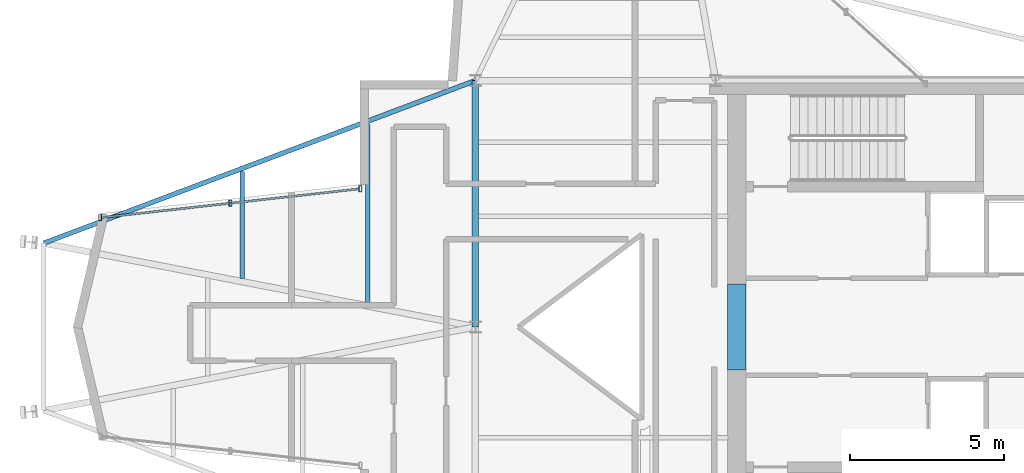
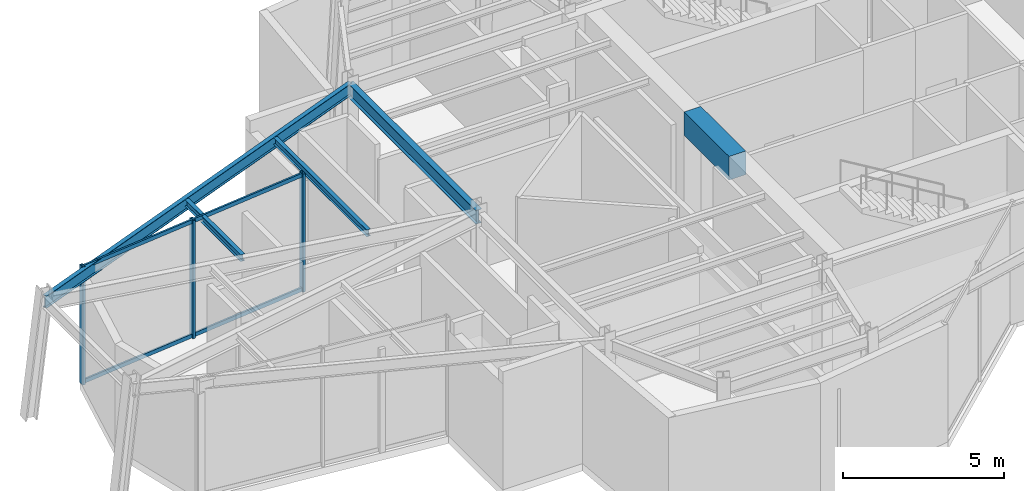
# One storey, part 4 of 11: 5 beams, 5 members, 1 element without a shape of its own.
"""IFC4 building model written with IfcOpenShell, lengths in metres."""

from ifc_helpers import new_model, si_unit, direction, frame, origin, origin_2d, place, context, subcontext, project, spatial, rectangle, hollow_rectangle, i_section, extrude, material, layer, layer_set, material_profile, profile_set, type_object, element, aggregate, save


model = new_model("IFC4")

# Units and contexts
model_context = context("Model", 3, precision=1e-05, world=origin(), true_north=direction((0.0, 1.0)))
body_context = subcontext(model_context, "Body", "Model", "MODEL_VIEW")
ifc_project = project(units=[si_unit("LENGTHUNIT", "METRE"), si_unit("AREAUNIT", "SQUARE_METRE"), si_unit("VOLUMEUNIT", "CUBIC_METRE"), si_unit("PLANEANGLEUNIT", "RADIAN"), si_unit("MASSUNIT", "GRAM", prefix="KILO")], contexts=[model_context])

# Site, building, storey
site_placement = place(None, origin())
site = spatial("IfcSite", under=ifc_project, at=site_placement, CompositionType="ELEMENT")
building_placement = place(site_placement, origin())
building = spatial("IfcBuilding", under=site, at=building_placement, Name="Veymaron Broadcast Tower", CompositionType="ELEMENT")
storey_placement = place(building_placement, frame((0.0, 0.0, 327.60009765625)))
storey = spatial("IfcBuildingStorey", under=building, at=storey_placement, Name="L77", CompositionType="ELEMENT", Elevation=327.60009765625)

# Beams
ifc_material_1 = material(Name="Concrete C60/75", Category="concrete")
ifc_material_profile_1 = material_profile(ifc_material_1, rectangle(XDim=0.60009765625, YDim=0.89990234375, at=origin_2d()), Name="RC600X900")
ifc_profile_set_1 = profile_set([ifc_material_profile_1], Name="Concrete C60/75")
beam_type_1 = type_object("IfcBeamType", Name="BM-CB2", PredefinedType="LINTEL", material=ifc_profile_set_1)
beam_1_placement = place(storey_placement, frame((39.679931640625, 22.60009765625, 4.02978515625), z_axis=(0.0, 1.0, 0.0), x_axis=(-1.0, 0.0, 0.0)))
element("IfcBeam", 1, at=beam_1_placement, inside=storey, type_object=beam_type_1, Name="L77 Core Wall west coupling beam", PredefinedType="LINTEL", context=body_context, shape_type="SweptSolid", body=[
    extrude(rectangle(XDim=0.60009765625, YDim=0.89990234375, at=origin_2d()), origin(), (0.0, 0.0, 1.0), 2.7998046875),
])
ifc_material_2 = material(Name="Structural steel ASTM A992 Gr 50", Category="steel")
ifc_material_profile_2 = material_profile(ifc_material_2, i_section(OverallWidth=0.208984375, OverallDepth=0.528076171875, WebThickness=0.009521484375, FlangeThickness=0.01318359375, at=origin_2d()), Name="W530X82")
ifc_profile_set_2 = profile_set([ifc_material_profile_2], Name="Structural steel ASTM A992 Gr 50")
beam_type_2 = type_object("IfcBeamType", Name="BM-FG4", PredefinedType="BEAM", material=ifc_profile_set_2)
beam_2_placement = place(storey_placement, frame((31.199951171875, 24.0, 4.2158203125), z_axis=(0.0, 1.0, 0.0), x_axis=(-1.0, 0.0, 0.0)))
element("IfcBeam", 2, at=beam_2_placement, inside=storey, type_object=beam_type_2, Name="L77 primary structural floor girder", PredefinedType="BEAM", context=body_context, shape_type="SweptSolid", body=[
    extrude(i_section(OverallWidth=0.208984375, OverallDepth=0.528076171875, WebThickness=0.009521484375, FlangeThickness=0.01318359375, at=origin_2d()), origin(), (0.0, 0.0, 1.0), 8.0),
])
ifc_material_profile_3 = material_profile(ifc_material_2, i_section(OverallWidth=0.14599609375, OverallDepth=0.258056640625, WebThickness=0.006103515625, FlangeThickness=0.009033203125, at=origin_2d()), Name="W250X33")
ifc_profile_set_3 = profile_set([ifc_material_profile_3], Name="Structural steel ASTM A992 Gr 50")
beam_type_3 = type_object("IfcBeamType", Name="BM-JS4", PredefinedType="JOIST", material=ifc_profile_set_3)
beam_3_placement = place(storey_placement, frame((23.63134765625, 25.56884765625, 4.350830078125), z_axis=(0.0, 1.0, 0.0), x_axis=(-1.0, 0.0, 0.0)))
element("IfcBeam", 3, at=beam_3_placement, inside=storey, type_object=beam_type_3, Name="L77 Arm-A secondary joist 1N", PredefinedType="JOIST", context=body_context, shape_type="SweptSolid", body=[
    extrude(i_section(OverallWidth=0.14599609375, OverallDepth=0.258056640625, WebThickness=0.006103515625, FlangeThickness=0.009033203125, at=origin_2d()), origin(), (0.0, 0.0, 1.0), 3.47998046875),
])
beam_4_placement = place(storey_placement, frame((27.696044921875, 24.780029296875, 4.350830078125), z_axis=(0.0, 1.0, 0.0), x_axis=(-1.0, 0.0, 0.0)))
element("IfcBeam", 4, at=beam_4_placement, inside=storey, type_object=beam_type_3, Name="L77 Arm-A secondary joist 2N", PredefinedType="JOIST", context=body_context, shape_type="SweptSolid", body=[
    extrude(i_section(OverallWidth=0.14599609375, OverallDepth=0.258056640625, WebThickness=0.006103515625, FlangeThickness=0.009033203125, at=origin_2d()), origin(), (0.0, 0.0, 1.0), 5.800048828125),
])
ifc_material_profile_4 = material_profile(ifc_material_2, i_section(OverallWidth=0.154052734375, OverallDepth=0.458984375, WebThickness=0.009033203125, FlangeThickness=0.015380859375, at=origin_2d()), Name="W460X68")
ifc_profile_set_4 = profile_set([ifc_material_profile_4], Name="Structural steel ASTM A992 Gr 50")
beam_type_4 = type_object("IfcBeamType", Name="BM-SP2", PredefinedType="SPANDREL", material=ifc_profile_set_4)
beam_5_placement = place(storey_placement, frame((17.18408203125, 26.719970703125, 4.25048828125), z_axis=(0.935799576277, 0.352532485083, 0.0), x_axis=(-0.352532485083, 0.935799576277, 0.0)))
element("IfcBeam", 5, at=beam_5_placement, inside=storey, type_object=beam_type_4, Name="L77 primary structural floor girder", PredefinedType="SPANDREL", context=body_context, shape_type="SweptSolid", body=[
    extrude(i_section(OverallWidth=0.154052734375, OverallDepth=0.458984375, WebThickness=0.009033203125, FlangeThickness=0.015380859375, at=origin_2d()), origin(), (0.0, 0.0, 1.0), 14.9775390625),
])

# Curtain wall, members
ifc_material_3 = material(Name="Anodised aluminium AA 6063-T6 and laminated low-E dark glass", Category="aluminium")
ifc_layer = layer(ifc_material_3, 0.179931640625)
ifc_layer_set = layer_set([ifc_layer], Name="Anodised aluminium AA 6063-T6 and laminated low-E dark glass")
curtain_wall_type = type_object("IfcCurtainWallType", Name="CW-SYS-07", PredefinedType="NOTDEFINED", material=ifc_layer_set)
curtain_wall_placement = place(storey_placement, origin())
curtain_wall = element("IfcCurtainWall", 6, at=curtain_wall_placement, inside=storey, type_object=curtain_wall_type, Name="L77 dark-glass curtain wall CW-L77-E11-1", PredefinedType="NOTDEFINED")
ifc_material_4 = material(Name="Anodised aluminium AA 6063-T6", Category="aluminium")
ifc_material_profile_5 = material_profile(ifc_material_4, hollow_rectangle(XDim=0.10009765625, YDim=0.199951171875, WallThickness=0.010009765625, at=origin_2d()), Name="RHS200X100X10")
ifc_profile_set_5 = profile_set([ifc_material_profile_5], Name="Anodised aluminium AA 6063-T6")
member_type_1 = type_object("IfcMemberType", Name="CW-MUL-01", PredefinedType="MULLION", material=ifc_profile_set_5)
member_1_placement = place(storey_placement, frame((27.46337890625, 28.4873046875, 0.0), z_axis=(0.0, 0.0, 1.0), x_axis=(1.0, 0.0, 0.0)))
member_1 = element("IfcMember", 7, at=member_1_placement, type_object=member_type_1, Name="CW-L77-E11-1 mullion 0", PredefinedType="MULLION", context=body_context, shape_type="SweptSolid", body=[
    extrude(hollow_rectangle(XDim=0.10009765625, YDim=0.199951171875, WallThickness=0.010009765625, at=origin_2d()), origin(), (0.0, 0.0, 1.0), 4.47998046875),
])
member_2_placement = place(storey_placement, frame((23.239501953125, 28.016845703125, 0.0), z_axis=(0.0, 0.0, 1.0), x_axis=(1.0, 0.0, 0.0)))
member_2 = element("IfcMember", 8, at=member_2_placement, type_object=member_type_1, Name="CW-L77-E11-1 mullion 1", PredefinedType="MULLION", context=body_context, shape_type="SweptSolid", body=[
    extrude(hollow_rectangle(XDim=0.10009765625, YDim=0.199951171875, WallThickness=0.010009765625, at=origin_2d()), origin(), (0.0, 0.0, 1.0), 4.47998046875),
])
member_3_placement = place(storey_placement, frame((19.015380859375, 27.54638671875, 0.0), z_axis=(0.0, 0.0, 1.0), x_axis=(1.0, 0.0, 0.0)))
member_3 = element("IfcMember", 9, at=member_3_placement, type_object=member_type_1, Name="CW-L77-E11-1 mullion 2", PredefinedType="MULLION", context=body_context, shape_type="SweptSolid", body=[
    extrude(hollow_rectangle(XDim=0.10009765625, YDim=0.199951171875, WallThickness=0.010009765625, at=origin_2d()), origin(), (0.0, 0.0, 1.0), 4.47998046875),
])
ifc_material_profile_6 = material_profile(ifc_material_4, hollow_rectangle(XDim=0.06494140625, YDim=0.14990234375, WallThickness=0.00390625, at=origin_2d()), Name="AL150X65X4")
ifc_profile_set_6 = profile_set([ifc_material_profile_6], Name="Anodised aluminium AA 6063-T6")
member_type_2 = type_object("IfcMemberType", Name="CW-TRN-01", PredefinedType="USERDEFINED", material=ifc_profile_set_6)
member_4_placement = place(storey_placement, frame((27.413818359375, 28.481689453125, 0.06982421875), z_axis=(-0.993853570947, -0.110702662643, 0.0), x_axis=(0.110702662643, -0.993853570947, 0.0)))
member_4 = element("IfcMember", 10, at=member_4_placement, type_object=member_type_2, Name="CW-L77-E11-1 transom B", ObjectType="TRANSOM", PredefinedType="USERDEFINED", context=body_context, shape_type="SweptSolid", body=[
    extrude(hollow_rectangle(XDim=0.06494140625, YDim=0.14990234375, WallThickness=0.00390625, at=origin_2d()), origin(), (0.0, 0.0, 1.0), 8.400146484375),
])
member_5_placement = place(storey_placement, frame((27.413818359375, 28.481689453125, 4.409912109375), z_axis=(-0.993853570947, -0.110702662643, 0.0), x_axis=(0.110702662643, -0.993853570947, 0.0)))
member_5 = element("IfcMember", 11, at=member_5_placement, type_object=member_type_2, Name="CW-L77-E11-1 transom T", ObjectType="TRANSOM", PredefinedType="USERDEFINED", context=body_context, shape_type="SweptSolid", body=[
    extrude(hollow_rectangle(XDim=0.06494140625, YDim=0.14990234375, WallThickness=0.00390625, at=origin_2d()), origin(), (0.0, 0.0, 1.0), 8.400146484375),
])
aggregate(curtain_wall, [member_1, member_2, member_3, member_4, member_5])

save(model, "model.ifc")
